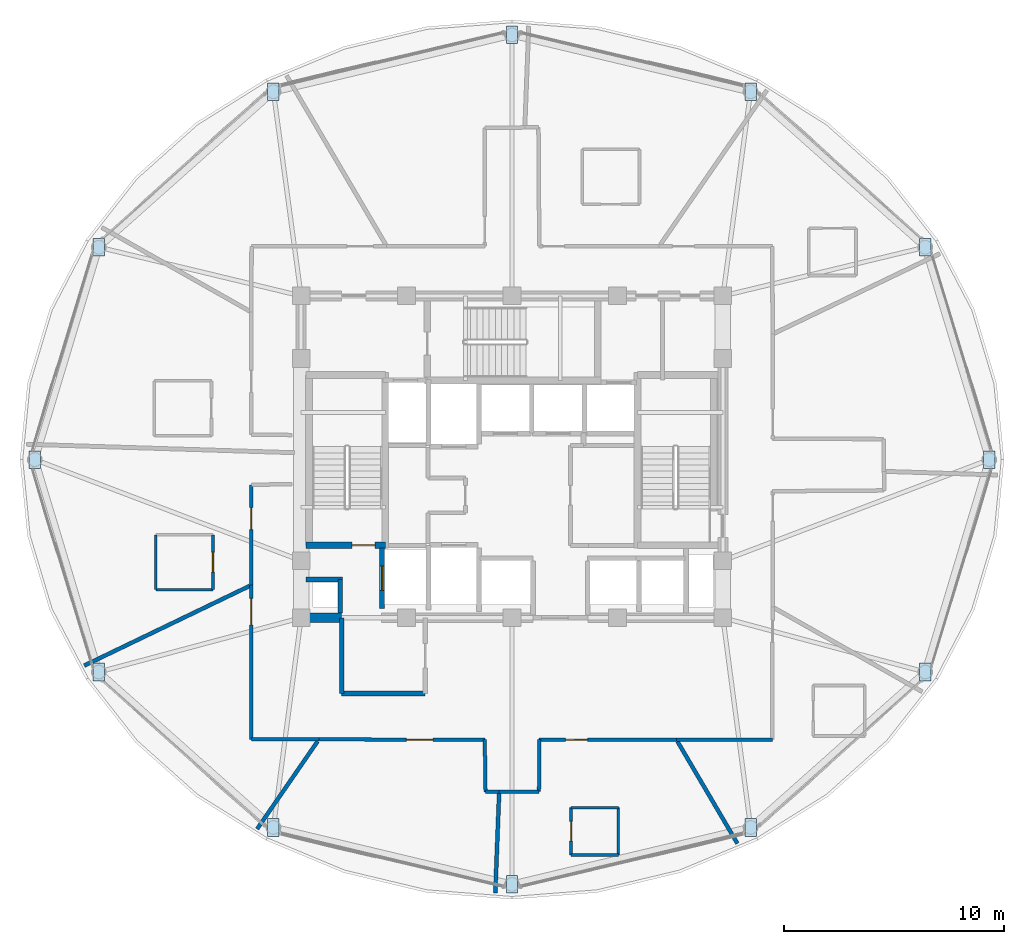
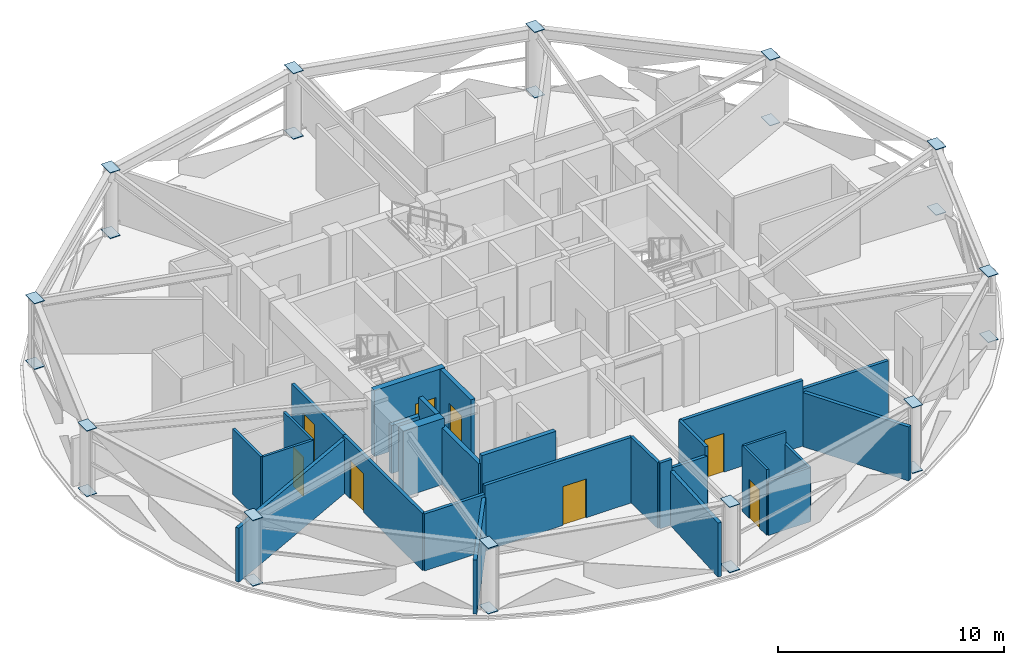
# One storey, part 21 of 28: 28 walls, 24 plates, 8 doors, 8 openings.
"""IFC4 building model written with IfcOpenShell, lengths in metres."""

from ifc_helpers import new_model, si_unit, direction, frame, frame_2d, origin, place, context, subcontext, project, spatial, polyline, rectangle, outline, extrude, material, layer, layer_set, type_object, element, fill, save


model = new_model("IFC4")

# Units and contexts
model_context = context("Model", 3, precision=1e-05, world=origin(), true_north=direction((0.0, 1.0)))
body_context = subcontext(model_context, "Body", "Model", "MODEL_VIEW")
ifc_project = project(units=[si_unit("LENGTHUNIT", "METRE"), si_unit("AREAUNIT", "SQUARE_METRE"), si_unit("VOLUMEUNIT", "CUBIC_METRE"), si_unit("PLANEANGLEUNIT", "RADIAN"), si_unit("MASSUNIT", "GRAM", prefix="KILO")], contexts=[model_context])

# Site, building, storey
site_placement = place(None, origin())
site = spatial("IfcSite", under=ifc_project, at=site_placement, CompositionType="ELEMENT")
building_placement = place(site_placement, origin())
building = spatial("IfcBuilding", under=site, at=building_placement, Name="Vantalir Tower", CompositionType="ELEMENT")
storey_placement = place(building_placement, frame((0.0, 0.0, 238.64990234375)))
storey = spatial("IfcBuildingStorey", under=building, at=storey_placement, Name="L60", CompositionType="ELEMENT", Elevation=238.64990234375)

# Plates
ifc_material_1 = material(Name="Steel S460", Category="steel")
ifc_layer_1 = layer(ifc_material_1, 0.031982421875)
ifc_layer_set_1 = layer_set([ifc_layer_1], Name="Steel S460")
plate_type = type_object("IfcPlateType", Name="PLT-KN-Z3", PredefinedType="USERDEFINED", material=ifc_layer_set_1)
for number, where, z_axis, x_axis, name in (
    (1, (52.9580078125, 25.39990234375, 3.593994140625), (0.0, 0.0, 1.0), (0.0, -1.0, 0.0), "L60 Ring Column Top Cap RC01"),
    (2, (52.9580078125, 25.39990234375, 0.052978515625), (0.0, 0.0, 1.0), (0.0, -1.0, 0.0), "L60 Ring Column Base Cap RC01"),
    (3, (50.048095703125, 35.06591796875, 3.593994140625), (0.0, 0.0, 1.0), (0.0, -1.0, 0.0), "L60 Ring Column Top Cap RC02"),
    (4, (50.048095703125, 35.06591796875, 0.052978515625), (0.0, 0.0, 1.0), (0.0, -1.0, 0.0), "L60 Ring Column Base Cap RC02"),
):
    element("IfcPlate", number, at=place(storey_placement, frame(where, z_axis=z_axis, x_axis=x_axis)), inside=storey, type_object=plate_type, Name=name, ObjectType="FLANGE_PLATE", PredefinedType="USERDEFINED", context=body_context, shape_type="SweptSolid", body=[
        extrude(outline(polyline([(0.0, 0.0), (0.7998046875, 0.0), (0.7998046875, 0.52001953125), (0.0, 0.52001953125), (0.0, 0.0)])), origin(), (0.0, 0.0, -1.0), 0.031982421875),
    ])
for number, where, z_axis, x_axis, name in (
    (5, (42.09912109375, 42.14306640625, 3.593994140625), (0.0, 0.0, 1.0), (0.0, -1.0, 0.0), "L60 Ring Column Top Cap RC03"),
    (6, (42.09912109375, 42.14306640625, 0.052978515625), (0.0, 0.0, 1.0), (0.0, -1.0, 0.0), "L60 Ring Column Base Cap RC03"),
):
    element("IfcPlate", number, at=place(storey_placement, frame(where, z_axis=z_axis, x_axis=x_axis)), inside=storey, type_object=plate_type, Name=name, ObjectType="FLANGE_PLATE", PredefinedType="USERDEFINED", context=body_context, shape_type="SweptSolid", body=[
        extrude(outline(polyline([(0.0, 0.0), (0.800048828125, 0.0), (0.800048828125, 0.519775390625), (0.0, 0.519775390625), (0.0, 0.0)])), origin(), (0.0, 0.0, -1.0), 0.031982421875),
    ])
for number, where, z_axis, x_axis, name in (
    (7, (31.239990234375, 44.73291015625, 3.593994140625), (0.0, 0.0, 1.0), (0.0, -1.0, 0.0), "L60 Ring Column Top Cap RC04"),
    (8, (31.239990234375, 44.73291015625, 0.052978515625), (0.0, 0.0, 1.0), (0.0, -1.0, 0.0), "L60 Ring Column Base Cap RC04"),
):
    element("IfcPlate", number, at=place(storey_placement, frame(where, z_axis=z_axis, x_axis=x_axis)), inside=storey, type_object=plate_type, Name=name, ObjectType="FLANGE_PLATE", PredefinedType="USERDEFINED", context=body_context, shape_type="SweptSolid", body=[
        extrude(outline(polyline([(0.0, 0.0), (0.7998046875, 0.0), (0.7998046875, 0.52001953125), (0.0, 0.52001953125), (0.0, 0.0)])), origin(), (0.0, 0.0, -1.0), 0.031982421875),
    ])
for number, where, z_axis, x_axis, name in (
    (9, (20.381103515625, 42.14306640625, 3.593994140625), (0.0, 0.0, 1.0), (0.0, -1.0, 0.0), "L60 Ring Column Top Cap RC05"),
    (10, (20.381103515625, 42.14306640625, 0.052978515625), (0.0, 0.0, 1.0), (0.0, -1.0, 0.0), "L60 Ring Column Base Cap RC05"),
):
    element("IfcPlate", number, at=place(storey_placement, frame(where, z_axis=z_axis, x_axis=x_axis)), inside=storey, type_object=plate_type, Name=name, ObjectType="FLANGE_PLATE", PredefinedType="USERDEFINED", context=body_context, shape_type="SweptSolid", body=[
        extrude(outline(polyline([(0.0, 0.0), (0.800048828125, 0.0), (0.800048828125, 0.519775390625), (0.0, 0.519775390625), (0.0, 0.0)])), origin(), (0.0, 0.0, -1.0), 0.031982421875),
    ])
for number, where, z_axis, x_axis, name in (
    (11, (12.431884765625, 35.06591796875, 3.593994140625), (0.0, 0.0, 1.0), (0.0, -1.0, 0.0), "L60 Ring Column Top Cap RC06"),
    (12, (12.431884765625, 35.06591796875, 0.052978515625), (0.0, 0.0, 1.0), (0.0, -1.0, 0.0), "L60 Ring Column Base Cap RC06"),
    (13, (9.52197265625, 25.39990234375, 3.593994140625), (0.0, 0.0, 1.0), (0.0, -1.0, 0.0), "L60 Ring Column Top Cap RC07"),
    (14, (9.52197265625, 25.39990234375, 0.052978515625), (0.0, 0.0, 1.0), (0.0, -1.0, 0.0), "L60 Ring Column Base Cap RC07"),
    (15, (12.431884765625, 15.73291015625, 3.593994140625), (0.0, 0.0, 1.0), (0.0, -1.0, 0.0), "L60 Ring Column Top Cap RC08"),
    (16, (12.431884765625, 15.73291015625, 0.052978515625), (0.0, 0.0, 1.0), (0.0, -1.0, 0.0), "L60 Ring Column Base Cap RC08"),
):
    element("IfcPlate", number, at=place(storey_placement, frame(where, z_axis=z_axis, x_axis=x_axis)), inside=storey, type_object=plate_type, Name=name, ObjectType="FLANGE_PLATE", PredefinedType="USERDEFINED", context=body_context, shape_type="SweptSolid", body=[
        extrude(outline(polyline([(0.0, 0.0), (0.7998046875, 0.0), (0.7998046875, 0.52001953125), (0.0, 0.52001953125), (0.0, 0.0)])), origin(), (0.0, 0.0, -1.0), 0.031982421875),
    ])
for number, where, z_axis, x_axis, name in (
    (17, (20.381103515625, 8.656982421875, 3.593994140625), (0.0, 0.0, 1.0), (0.0, -1.0, 0.0), "L60 Ring Column Top Cap RC09"),
    (18, (20.381103515625, 8.656982421875, 0.052978515625), (0.0, 0.0, 1.0), (0.0, -1.0, 0.0), "L60 Ring Column Base Cap RC09"),
):
    element("IfcPlate", number, at=place(storey_placement, frame(where, z_axis=z_axis, x_axis=x_axis)), inside=storey, type_object=plate_type, Name=name, ObjectType="FLANGE_PLATE", PredefinedType="USERDEFINED", context=body_context, shape_type="SweptSolid", body=[
        extrude(outline(polyline([(0.0, 0.0), (0.800048828125, 0.0), (0.800048828125, 0.519775390625), (0.0, 0.519775390625), (0.0, 0.0)])), origin(), (0.0, 0.0, -1.0), 0.031982421875),
    ])
for number, where, z_axis, x_axis, name in (
    (19, (31.239990234375, 6.06689453125, 3.593994140625), (0.0, 0.0, 1.0), (0.0, -1.0, 0.0), "L60 Ring Column Top Cap RC10"),
    (20, (31.239990234375, 6.06689453125, 0.052978515625), (0.0, 0.0, 1.0), (0.0, -1.0, 0.0), "L60 Ring Column Base Cap RC10"),
):
    element("IfcPlate", number, at=place(storey_placement, frame(where, z_axis=z_axis, x_axis=x_axis)), inside=storey, type_object=plate_type, Name=name, ObjectType="FLANGE_PLATE", PredefinedType="USERDEFINED", context=body_context, shape_type="SweptSolid", body=[
        extrude(outline(polyline([(0.0, 0.0), (0.7998046875, 0.0), (0.7998046875, 0.52001953125), (0.0, 0.52001953125), (0.0, 0.0)])), origin(), (0.0, 0.0, -1.0), 0.031982421875),
    ])
for number, where, z_axis, x_axis, name in (
    (21, (42.09912109375, 8.656982421875, 3.593994140625), (0.0, 0.0, 1.0), (0.0, -1.0, 0.0), "L60 Ring Column Top Cap RC11"),
    (22, (42.09912109375, 8.656982421875, 0.052978515625), (0.0, 0.0, 1.0), (0.0, -1.0, 0.0), "L60 Ring Column Base Cap RC11"),
):
    element("IfcPlate", number, at=place(storey_placement, frame(where, z_axis=z_axis, x_axis=x_axis)), inside=storey, type_object=plate_type, Name=name, ObjectType="FLANGE_PLATE", PredefinedType="USERDEFINED", context=body_context, shape_type="SweptSolid", body=[
        extrude(outline(polyline([(0.0, 0.0), (0.800048828125, 0.0), (0.800048828125, 0.519775390625), (0.0, 0.519775390625), (0.0, 0.0)])), origin(), (0.0, 0.0, -1.0), 0.031982421875),
    ])
for number, where, z_axis, x_axis, name in (
    (23, (50.048095703125, 15.73291015625, 3.593994140625), (0.0, 0.0, 1.0), (0.0, -1.0, 0.0), "L60 Ring Column Top Cap RC12"),
    (24, (50.048095703125, 15.73291015625, 0.052978515625), (0.0, 0.0, 1.0), (0.0, -1.0, 0.0), "L60 Ring Column Base Cap RC12"),
):
    element("IfcPlate", number, at=place(storey_placement, frame(where, z_axis=z_axis, x_axis=x_axis)), inside=storey, type_object=plate_type, Name=name, ObjectType="FLANGE_PLATE", PredefinedType="USERDEFINED", context=body_context, shape_type="SweptSolid", body=[
        extrude(outline(polyline([(0.0, 0.0), (0.7998046875, 0.0), (0.7998046875, 0.52001953125), (0.0, 0.52001953125), (0.0, 0.0)])), origin(), (0.0, 0.0, -1.0), 0.031982421875),
    ])

# Walls
ifc_material_2 = material(Name="Moisture-resistant en-suite partition", Category="gypsum")
ifc_layer_2 = layer(ifc_material_2, 0.125)
ifc_layer_set_2 = layer_set([ifc_layer_2], Name="Moisture-resistant en-suite partition")
wall_type_1 = type_object("IfcWallType", Name="WL-BATH-125", PredefinedType="PARTITIONING", material=ifc_layer_set_2)
wall_1_placement = place(storey_placement, frame((15.2900390625, 19.077880859375, 0.0), z_axis=(0.0, 0.0, 1.0), x_axis=(1.0, 0.0, 0.0)))
element("IfcWall", 25, at=wall_1_placement, inside=storey, type_object=wall_type_1, Name="L60 En-suite 06 South Wall", PredefinedType="PARTITIONING", context=body_context, shape_type="SweptSolid", body=[
    extrude(rectangle(XDim=2.599853515625, YDim=0.125, at=frame_2d((1.2998046875, 0.0))), origin(), (0.0, 0.0, 1.0), 3.550048828125),
])
wall_2_placement = place(storey_placement, frame((15.2900390625, 19.077880859375, 0.0), z_axis=(0.0, 0.0, 1.0), x_axis=(0.0, 1.0, 0.0)))
element("IfcWall", 26, at=wall_2_placement, inside=storey, type_object=wall_type_1, Name="L60 En-suite 06 West Wall", PredefinedType="PARTITIONING", context=body_context, shape_type="SweptSolid", body=[
    extrude(rectangle(XDim=2.5, YDim=0.125, at=frame_2d((1.25, 0.0))), origin(), (0.0, 0.0, 1.0), 3.550048828125),
])

# Wall, opening, door
wall_3_placement = place(storey_placement, frame((17.889892578125, 19.077880859375, 0.0), z_axis=(0.0, 0.0, 1.0), x_axis=(0.0, 1.0, 0.0)))
wall_3 = element("IfcWall", 27, at=wall_3_placement, inside=storey, type_object=wall_type_1, Name="L60 En-suite 06 East Wall", PredefinedType="PARTITIONING", context=body_context, shape_type="SweptSolid", body=[
    extrude(rectangle(XDim=2.5, YDim=0.125, at=frame_2d((1.25, 0.0))), origin(), (0.0, 0.0, 1.0), 3.550048828125),
])
opening_1_placement = place(wall_3_placement, frame((0.800048828125, 0.0, 0.0)))
opening_1 = element("IfcOpeningElement", 28, at=opening_1_placement, cuts=wall_3, Name="Opening D-WC", PredefinedType="OPENING", context=body_context, shape_type="SweptSolid", body=[
    extrude(rectangle(XDim=0.89990234375, YDim=2.10009765625, at=frame_2d((0.449951171875, 1.050048828125))), frame((0.0, 0.072509765625, 0.0), z_axis=(0.0, -1.0, 0.0), x_axis=(1.0, 0.0, 0.0)), (0.0, 0.0, 1.0), 0.14501953125),
])
ifc_material_3 = material(Name="Moisture-resistant hardwood door", Category="wood")
door_type_1 = type_object("IfcDoorType", Name="DR-ENSUITE-900", OperationType="NOTDEFINED", PredefinedType="DOOR", material=ifc_material_3)
door_1_placement = place(opening_1_placement, origin())
door_1 = element("IfcDoor", 29, at=door_1_placement, inside=storey, type_object=door_type_1, Name="L60 En-suite 06 Door", OperationType="SINGLE_SWING_LEFT", OverallHeight=2.10009765625, OverallWidth=0.89990234375, PredefinedType="DOOR", context=body_context, shape_type="SweptSolid", body=[
    extrude(rectangle(XDim=0.89990234375, YDim=2.10009765625, at=frame_2d((0.449951171875, 1.050048828125))), frame((0.0, 0.02490234375, 0.0), z_axis=(0.0, -1.0, 0.0), x_axis=(1.0, 0.0, 0.0)), (0.0, 0.0, 1.0), 0.050048828125),
])
fill(opening_1, door_1)

# Walls
wall_4_placement = place(storey_placement, frame((34.18896484375, 7.008056640625, 0.0), z_axis=(0.0, 0.0, 1.0), x_axis=(1.0, 0.0, 0.0)))
element("IfcWall", 30, at=wall_4_placement, inside=storey, type_object=wall_type_1, Name="L60 En-suite 09 South Wall", PredefinedType="PARTITIONING", context=body_context, shape_type="SweptSolid", body=[
    extrude(rectangle(XDim=2.150146484375, YDim=0.125, at=frame_2d((1.0751953125, 0.0))), origin(), (0.0, 0.0, 1.0), 2.925048828125),
])
wall_5_placement = place(storey_placement, frame((34.18896484375, 9.157958984375, 0.0), z_axis=(0.0, 0.0, 1.0), x_axis=(1.0, 0.0, 0.0)))
element("IfcWall", 31, at=wall_5_placement, inside=storey, type_object=wall_type_1, Name="L60 En-suite 09 North Wall", PredefinedType="PARTITIONING", context=body_context, shape_type="SweptSolid", body=[
    extrude(rectangle(XDim=2.150146484375, YDim=0.125, at=frame_2d((1.0751953125, 0.0))), origin(), (0.0, 0.0, 1.0), 3.550048828125),
])

# Wall, opening, door
wall_6_placement = place(storey_placement, frame((34.18896484375, 7.008056640625, 0.0), z_axis=(0.0, 0.0, 1.0), x_axis=(0.0, 1.0, 0.0)))
wall_6 = element("IfcWall", 32, at=wall_6_placement, inside=storey, type_object=wall_type_1, Name="L60 En-suite 09 West Wall", PredefinedType="PARTITIONING", context=body_context, shape_type="SweptSolid", body=[
    extrude(rectangle(XDim=2.14990234375, YDim=0.125, at=frame_2d((1.074951171875, 0.0))), origin(), (0.0, 0.0, 1.0), 3.550048828125),
])
opening_2_placement = place(wall_6_placement, frame((0.625, 0.0, 0.0)))
opening_2 = element("IfcOpeningElement", 33, at=opening_2_placement, cuts=wall_6, Name="Opening D-WC", PredefinedType="OPENING", context=body_context, shape_type="SweptSolid", body=[
    extrude(rectangle(XDim=0.89990234375, YDim=2.10009765625, at=frame_2d((0.449951171875, 1.050048828125))), frame((0.0, 0.072509765625, 0.0), z_axis=(0.0, -1.0, 0.0), x_axis=(1.0, 0.0, 0.0)), (0.0, 0.0, 1.0), 0.14501953125),
])
door_2_placement = place(opening_2_placement, frame((0.89990234375, 0.0, 0.0), z_axis=(0.0, 0.0, 1.0), x_axis=(-1.0, 0.0, 0.0)))
door_2 = element("IfcDoor", 34, at=door_2_placement, inside=storey, type_object=door_type_1, Name="L60 En-suite 09 Door", OperationType="SINGLE_SWING_RIGHT", OverallHeight=2.10009765625, OverallWidth=0.89990234375, PredefinedType="DOOR", context=body_context, shape_type="SweptSolid", body=[
    extrude(rectangle(XDim=0.89990234375, YDim=2.10009765625, at=frame_2d((0.449951171875, 1.050048828125))), frame((0.0, 0.02490234375, 0.0), z_axis=(0.0, -1.0, 0.0), x_axis=(1.0, 0.0, 0.0)), (0.0, 0.0, 1.0), 0.050048828125),
])
fill(opening_2, door_2)

# Walls
wall_7_placement = place(storey_placement, frame((36.339111328125, 7.008056640625, 0.0), z_axis=(0.0, 0.0, 1.0), x_axis=(0.0, 1.0, 0.0)))
element("IfcWall", 35, at=wall_7_placement, inside=storey, type_object=wall_type_1, Name="L60 En-suite 09 East Wall", PredefinedType="PARTITIONING", context=body_context, shape_type="SweptSolid", body=[
    extrude(rectangle(XDim=2.14990234375, YDim=0.125, at=frame_2d((1.074951171875, 0.0))), origin(), (0.0, 0.0, 1.0), 2.925048828125),
])
ifc_material_4 = material(Name="Concrete C50/60", Category="concrete")
ifc_layer_3 = layer(ifc_material_4, 0.449951171875)
ifc_layer_set_3 = layer_set([ifc_layer_3], Name="Concrete C50/60")
wall_type_2 = type_object("IfcWallType", Name="WL-CORE-450", PredefinedType="SHEAR", material=ifc_layer_set_3)
wall_8_placement = place(storey_placement, frame((21.675048828125, 17.800048828125, 0.0), z_axis=(0.0, 0.0, 1.0), x_axis=(1.0, 0.0, 0.0)))
element("IfcWall", 36, at=wall_8_placement, inside=storey, type_object=wall_type_2, Name="L60 Core Shear Wall South-West", PredefinedType="SHEAR", context=body_context, shape_type="SweptSolid", body=[
    extrude(rectangle(XDim=2.074951171875, YDim=0.449951171875, at=frame_2d((1.03759765625, 0.0))), origin(), (0.0, 0.0, 1.0), 3.570068359375),
])
ifc_material_5 = material(Name="Fire-rated hotel corridor acoustic partition", Category="gypsum")
ifc_layer_4 = layer(ifc_material_5, 0.159912109375)
ifc_layer_set_4 = layer_set([ifc_layer_4], Name="Fire-rated hotel corridor acoustic partition")
wall_type_3 = type_object("IfcWallType", Name="WL-CORR-160", PredefinedType="PARTITIONING", material=ifc_layer_set_4)
wall_9_placement = place(storey_placement, frame((43.35009765625, 12.259033203125, 0.0), z_axis=(0.0, 0.0, 1.0), x_axis=(-0.99999954841, -0.000950357353, 0.0)))
element("IfcWall", 37, at=wall_9_placement, inside=storey, type_object=wall_type_3, Name="L60 Corridor Partition 20", PredefinedType="PARTITIONING", context=body_context, shape_type="SweptSolid", body=[
    extrude(rectangle(XDim=4.3671875, YDim=0.159912109375, at=frame_2d((2.18359375, 0.0))), origin(), (0.0, 0.0, 1.0), 3.0810546875),
])

# Wall, opening, door
wall_10_placement = place(storey_placement, frame((38.98291015625, 12.2548828125, 0.0), z_axis=(0.0, 0.0, 1.0), x_axis=(-0.999999694132, -0.000782135774, 0.0)))
wall_10 = element("IfcWall", 38, at=wall_10_placement, inside=storey, type_object=wall_type_3, Name="L60 Corridor Partition 21", PredefinedType="PARTITIONING", context=body_context, shape_type="SweptSolid", body=[
    extrude(rectangle(XDim=6.242919921875, YDim=0.159912109375, at=frame_2d((3.12158203125, 0.0))), origin(), (0.0, 0.0, 1.0), 3.550048828125),
])
opening_3_placement = place(wall_10_placement, frame((4.0390625, 0.0, 0.0)))
opening_3 = element("IfcOpeningElement", 39, at=opening_3_placement, cuts=wall_10, Name="Opening D-GUEST", PredefinedType="OPENING", context=body_context, shape_type="SweptSolid", body=[
    extrude(rectangle(XDim=1.0, YDim=2.10009765625, at=frame_2d((0.5, 1.050048828125))), frame((0.0, 0.08984375, 0.0), z_axis=(0.0, -1.0, 0.0), x_axis=(1.0, 0.0, 0.0)), (0.0, 0.0, 1.0), 0.179931640625),
])
ifc_material_6 = material(Name="Solid-core teak veneer acoustic fire door", Category="wood")
door_type_2 = type_object("IfcDoorType", Name="DR-GUEST-ENTRY-1000", OperationType="NOTDEFINED", PredefinedType="DOOR", material=ifc_material_6)
door_3_placement = place(opening_3_placement, origin())
door_3 = element("IfcDoor", 40, at=door_3_placement, inside=storey, type_object=door_type_2, Name="L60 Twin Queen Hotel Room 09 Door", OperationType="SINGLE_SWING_LEFT", OverallHeight=2.10009765625, OverallWidth=1.0, PredefinedType="DOOR", context=body_context, shape_type="SweptSolid", body=[
    extrude(rectangle(XDim=1.0, YDim=2.10009765625, at=frame_2d((0.5, 1.050048828125))), frame((0.0, 0.02490234375, 0.0), z_axis=(0.0, -1.0, 0.0), x_axis=(1.0, 0.0, 0.0)), (0.0, 0.0, 1.0), 0.050048828125),
])
fill(opening_3, door_3)

# Walls
wall_11_placement = place(storey_placement, frame((32.739990234375, 12.25, 0.0), z_axis=(0.0, 0.0, 1.0), x_axis=(-0.005066629207, -0.999987164552, 0.0)))
element("IfcWall", 41, at=wall_11_placement, inside=storey, type_object=wall_type_3, Name="L60 Corridor Partition 22", PredefinedType="PARTITIONING", context=body_context, shape_type="SweptSolid", body=[
    extrude(rectangle(XDim=2.361083984375, YDim=0.159912109375, at=frame_2d((1.1806640625, 0.0))), origin(), (0.0, 0.0, 1.0), 3.550048828125),
])
wall_12_placement = place(storey_placement, frame((32.72802734375, 9.888916015625, 0.0), z_axis=(0.0, 0.0, 1.0), x_axis=(-0.999987560822, -0.004987805305, 0.0)))
element("IfcWall", 42, at=wall_12_placement, inside=storey, type_object=wall_type_3, Name="L60 Corridor Partition 23", PredefinedType="PARTITIONING", context=body_context, shape_type="SweptSolid", body=[
    extrude(rectangle(XDim=1.81103515625, YDim=0.159912109375, at=frame_2d((0.905517578125, 0.0))), origin(), (0.0, 0.0, 1.0), 3.0810546875),
])
wall_13_placement = place(storey_placement, frame((30.9169921875, 9.8798828125, 0.0), z_axis=(0.0, 0.0, 1.0), x_axis=(-0.99998887523, -0.004716928657, 0.0)))
element("IfcWall", 43, at=wall_13_placement, inside=storey, type_object=wall_type_3, Name="L60 Corridor Partition 24", PredefinedType="PARTITIONING", context=body_context, shape_type="SweptSolid", body=[
    extrude(rectangle(XDim=0.62109375, YDim=0.159912109375, at=frame_2d((0.310546875, 0.0))), origin(), (0.0, 0.0, 1.0), 3.550048828125),
])
wall_14_placement = place(storey_placement, frame((30.2958984375, 9.876953125, 0.0), z_axis=(0.0, 0.0, 1.0), x_axis=(-0.015121727576, 0.999885660141, 0.0)))
element("IfcWall", 44, at=wall_14_placement, inside=storey, type_object=wall_type_3, Name="L60 Corridor Partition 25", PredefinedType="PARTITIONING", context=body_context, shape_type="SweptSolid", body=[
    extrude(rectangle(XDim=2.373291015625, YDim=0.159912109375, at=frame_2d((1.1865234375, 0.0))), origin(), (0.0, 0.0, 1.0), 3.550048828125),
])

# Wall, opening, door
wall_15_placement = place(storey_placement, frame((30.260009765625, 12.25, 0.0), z_axis=(0.0, 0.0, 1.0), x_axis=(-0.999998053089, 0.001973276008, 0.0)))
wall_15 = element("IfcWall", 45, at=wall_15_placement, inside=storey, type_object=wall_type_3, Name="L60 Corridor Partition 26", PredefinedType="PARTITIONING", context=body_context, shape_type="SweptSolid", body=[
    extrude(rectangle(XDim=7.547119140625, YDim=0.159912109375, at=frame_2d((3.7734375, 0.0))), origin(), (0.0, 0.0, 1.0), 3.550048828125),
])
opening_4_placement = place(wall_15_placement, frame((2.364990234375, 0.0, 0.0)))
opening_4 = element("IfcOpeningElement", 46, at=opening_4_placement, cuts=wall_15, Name="Opening D-STE", PredefinedType="OPENING", context=body_context, shape_type="SweptSolid", body=[
    extrude(rectangle(XDim=1.199951171875, YDim=2.10009765625, at=frame_2d((0.60009765625, 1.050048828125))), frame((0.0, 0.08984375, 0.0), z_axis=(0.0, -1.0, 0.0), x_axis=(1.0, 0.0, 0.0)), (0.0, 0.0, 1.0), 0.179931640625),
])
ifc_material_7 = material(Name="Solid-core teak veneer suite entrance door", Category="wood")
door_type_3 = type_object("IfcDoorType", Name="DR-SUITE-ENTRY-1200", OperationType="NOTDEFINED", PredefinedType="DOOR", material=ifc_material_7)
door_4_placement = place(opening_4_placement, origin())
door_4 = element("IfcDoor", 47, at=door_4_placement, inside=storey, type_object=door_type_3, Name="L60 Executive Sky Boardroom 08 Door", OperationType="SINGLE_SWING_RIGHT", OverallHeight=2.10009765625, OverallWidth=1.199951171875, PredefinedType="DOOR", context=body_context, shape_type="SweptSolid", body=[
    extrude(rectangle(XDim=1.199951171875, YDim=2.10009765625, at=frame_2d((0.60009765625, 1.050048828125))), frame((0.0, 0.02490234375, 0.0), z_axis=(0.0, -1.0, 0.0), x_axis=(1.0, 0.0, 0.0)), (0.0, 0.0, 1.0), 0.050048828125),
])
fill(opening_4, door_4)

# Wall
wall_16_placement = place(storey_placement, frame((22.712890625, 12.264892578125, 0.0), z_axis=(0.0, 0.0, 1.0), x_axis=(-0.999998027558, 0.001986172296, 0.0)))
element("IfcWall", 48, at=wall_16_placement, inside=storey, type_object=wall_type_3, Name="L60 Corridor Partition 27", PredefinedType="PARTITIONING", context=body_context, shape_type="SweptSolid", body=[
    extrude(rectangle(XDim=3.072998046875, YDim=0.159912109375, at=frame_2d((1.53662109375, 0.0))), origin(), (0.0, 0.0, 1.0), 3.0810546875),
])

# Wall, opening, door
wall_17_placement = place(storey_placement, frame((19.639892578125, 12.27099609375, 0.0), z_axis=(0.0, 0.0, 1.0), x_axis=(-0.000417507444, 0.999999912844, 0.0)))
wall_17 = element("IfcWall", 49, at=wall_17_placement, inside=storey, type_object=wall_type_3, Name="L60 Corridor Partition 28", PredefinedType="PARTITIONING", context=body_context, shape_type="SweptSolid", body=[
    extrude(rectangle(XDim=7.01708984375, YDim=0.159912109375, at=frame_2d((3.508544921875, 0.0))), origin(), (0.0, 0.0, 1.0), 3.0810546875),
])
opening_5_placement = place(wall_17_placement, frame((5.2109375, 0.0, 0.0)))
opening_5 = element("IfcOpeningElement", 50, at=opening_5_placement, cuts=wall_17, Name="Opening D-STE", PredefinedType="OPENING", context=body_context, shape_type="SweptSolid", body=[
    extrude(rectangle(XDim=1.199951171875, YDim=2.10009765625, at=frame_2d((0.60009765625, 1.050048828125))), frame((0.0, 0.08984375, 0.0), z_axis=(0.0, -1.0, 0.0), x_axis=(1.0, 0.0, 0.0)), (0.0, 0.0, 1.0), 0.179931640625),
])
door_5_placement = place(opening_5_placement, origin())
door_5 = element("IfcDoor", 51, at=door_5_placement, inside=storey, type_object=door_type_3, Name="L60 Club Reading Lounge 07 Door", OperationType="SINGLE_SWING_LEFT", OverallHeight=2.10009765625, OverallWidth=1.199951171875, PredefinedType="DOOR", context=body_context, shape_type="SweptSolid", body=[
    extrude(rectangle(XDim=1.199951171875, YDim=2.10009765625, at=frame_2d((0.60009765625, 1.050048828125))), frame((0.0, 0.02490234375, 0.0), z_axis=(0.0, -1.0, 0.0), x_axis=(1.0, 0.0, 0.0)), (0.0, 0.0, 1.0), 0.050048828125),
])
fill(opening_5, door_5)

wall_18_placement = place(storey_placement, frame((19.636962890625, 19.2880859375, 0.0), z_axis=(0.0, 0.0, 1.0), x_axis=(-0.000427761698, 0.99999990851, 0.0)))
wall_18 = element("IfcWall", 52, at=wall_18_placement, inside=storey, type_object=wall_type_3, Name="L60 Corridor Partition 29", PredefinedType="PARTITIONING", context=body_context, shape_type="SweptSolid", body=[
    extrude(rectangle(XDim=4.56591796875, YDim=0.159912109375, at=frame_2d((2.282958984375, 0.0))), origin(), (0.0, 0.0, 1.0), 3.0810546875),
])
opening_6_placement = place(wall_18_placement, frame((2.52099609375, 0.0, 0.0)))
opening_6 = element("IfcOpeningElement", 53, at=opening_6_placement, cuts=wall_18, Name="Opening D-GUEST", PredefinedType="OPENING", context=body_context, shape_type="SweptSolid", body=[
    extrude(rectangle(XDim=1.0, YDim=2.10009765625, at=frame_2d((0.5, 1.050048828125))), frame((0.0, 0.08984375, 0.0), z_axis=(0.0, -1.0, 0.0), x_axis=(1.0, 0.0, 0.0)), (0.0, 0.0, 1.0), 0.179931640625),
])
door_6_placement = place(opening_6_placement, origin())
door_6 = element("IfcDoor", 54, at=door_6_placement, inside=storey, type_object=door_type_2, Name="L60 Deluxe King Hotel Room 06 Door", OperationType="SINGLE_SWING_RIGHT", OverallHeight=2.10009765625, OverallWidth=1.0, PredefinedType="DOOR", context=body_context, shape_type="SweptSolid", body=[
    extrude(rectangle(XDim=1.0, YDim=2.10009765625, at=frame_2d((0.5, 1.050048828125))), frame((0.0, 0.02490234375, 0.0), z_axis=(0.0, -1.0, 0.0), x_axis=(1.0, 0.0, 0.0)), (0.0, 0.0, 1.0), 0.050048828125),
])
fill(opening_6, door_6)

# Walls
ifc_material_8 = material(Name="Concrete blockwork with fireboard lining", Category="masonry")
ifc_layer_5 = layer(ifc_material_8, 0.219970703125)
ifc_layer_set_5 = layer_set([ifc_layer_5], Name="Concrete blockwork with fireboard lining")
wall_type_4 = type_object("IfcWallType", Name="WL-FFL-220", PredefinedType="PARTITIONING", material=ifc_layer_set_5)
wall_19_placement = place(storey_placement, frame((23.679931640625, 18.02490234375, 0.0), z_axis=(0.0, 0.0, 1.0), x_axis=(0.0, 1.0, 0.0)))
element("IfcWall", 55, at=wall_19_placement, inside=storey, type_object=wall_type_4, Name="L60 West MEP Riser Wall E", PredefinedType="PARTITIONING", context=body_context, shape_type="SweptSolid", body=[
    extrude(rectangle(XDim=1.525146484375, YDim=0.219970703125, at=frame_2d((0.7626953125, 0.0))), origin(), (0.0, 0.0, 1.0), 3.550048828125),
])
wall_20_placement = place(storey_placement, frame((22.125, 19.550048828125, 0.0), z_axis=(0.0, 0.0, 1.0), x_axis=(1.0, 0.0, 0.0)))
element("IfcWall", 56, at=wall_20_placement, inside=storey, type_object=wall_type_4, Name="L60 West MEP Riser Wall N", PredefinedType="PARTITIONING", context=body_context, shape_type="SweptSolid", body=[
    extrude(rectangle(XDim=1.6650390625, YDim=0.219970703125, at=frame_2d((0.83251953125, 0.0))), origin(), (0.0, 0.0, 1.0), 2.59521484375),
])

# Wall, opening, door
wall_21_placement = place(storey_placement, frame((25.590087890625, 18.219970703125, 0.0), z_axis=(0.0, 0.0, 1.0), x_axis=(0.0, 1.0, 0.0)))
wall_21 = element("IfcWall", 57, at=wall_21_placement, inside=storey, type_object=wall_type_4, Name="L60 Lift FL1 Shaft Front Wall", PredefinedType="PARTITIONING", context=body_context, shape_type="SweptSolid", body=[
    extrude(rectangle(XDim=2.760009765625, YDim=0.219970703125, at=frame_2d((1.3798828125, 0.0))), origin(), (0.0, 0.0, 1.0), 3.550048828125),
])
opening_7_placement = place(wall_21_placement, frame((0.830078125, 0.0, 0.0)))
opening_7 = element("IfcOpeningElement", 58, at=opening_7_placement, cuts=wall_21, Name="Opening LD-FL1", PredefinedType="OPENING", context=body_context, shape_type="SweptSolid", body=[
    extrude(rectangle(XDim=1.10009765625, YDim=2.199951171875, at=frame_2d((0.550048828125, 1.10009765625))), frame((0.0, 0.119873046875, 0.0), z_axis=(0.0, -1.0, 0.0), x_axis=(1.0, 0.0, 0.0)), (0.0, 0.0, 1.0), 0.239990234375),
])
ifc_material_9 = material(Name="Brushed stainless-steel sliding lift landing door", Category="steel")
door_type_4 = type_object("IfcDoorType", Name="DR-LIFT-LANDING-1100", OperationType="DOUBLE_DOOR_SLIDING", PredefinedType="DOOR", material=ifc_material_9)
door_7_placement = place(opening_7_placement, origin())
door_7 = element("IfcDoor", 59, at=door_7_placement, inside=storey, type_object=door_type_4, Name="L60 Lift Landing Door FL1", OperationType="DOUBLE_DOOR_SLIDING", OverallHeight=2.199951171875, OverallWidth=1.10009765625, PredefinedType="DOOR", context=body_context, shape_type="SweptSolid", body=[
    extrude(rectangle(XDim=1.10009765625, YDim=2.199951171875, at=frame_2d((0.550048828125, 1.10009765625))), frame((0.0, 0.02490234375, 0.0), z_axis=(0.0, -1.0, 0.0), x_axis=(1.0, 0.0, 0.0)), (0.0, 0.0, 1.0), 0.050048828125),
])
fill(opening_7, door_7)

# Walls
wall_22_placement = place(storey_placement, frame((23.75, 14.35009765625, 0.0), z_axis=(0.0, 0.0, 1.0), x_axis=(0.0, 1.0, 0.0)))
element("IfcWall", 60, at=wall_22_placement, inside=storey, type_object=wall_type_4, Name="L60 Firefighting Lobby West Outer W", PredefinedType="PARTITIONING", context=body_context, shape_type="SweptSolid", body=[
    extrude(rectangle(XDim=3.449951171875, YDim=0.219970703125, at=frame_2d((1.72509765625, 0.0))), origin(), (0.0, 0.0, 1.0), 3.0810546875),
])
wall_23_placement = place(storey_placement, frame((23.75, 14.35009765625, 0.0), z_axis=(0.0, 0.0, 1.0), x_axis=(1.0, 0.0, 0.0)))
element("IfcWall", 61, at=wall_23_placement, inside=storey, type_object=wall_type_4, Name="L60 Firefighting Lobby West South Wall", PredefinedType="PARTITIONING", context=body_context, shape_type="SweptSolid", body=[
    extrude(rectangle(XDim=3.800048828125, YDim=0.219970703125, at=frame_2d((1.89990234375, 0.0))), origin(), (0.0, 0.0, 1.0), 3.550048828125),
])
ifc_material_10 = material(Name="Twin-stud acoustic fire-rated gypsum partition", Category="gypsum")
ifc_layer_6 = layer(ifc_material_10, 0.179931640625)
ifc_layer_set_6 = layer_set([ifc_layer_6], Name="Twin-stud acoustic fire-rated gypsum partition")
wall_type_5 = type_object("IfcWallType", Name="WL-GUEST-180", PredefinedType="PARTITIONING", material=ifc_layer_set_6)
wall_24_placement = place(storey_placement, frame((19.56005859375, 19.25, 0.0), z_axis=(0.0, 0.0, 1.0), x_axis=(-0.900984326042, -0.433851638497, 0.0)))
element("IfcWall", 62, at=wall_24_placement, inside=storey, type_object=wall_type_5, Name="L60 Radial Suite Partition 07", PredefinedType="PARTITIONING", context=body_context, shape_type="SweptSolid", body=[
    extrude(rectangle(XDim=8.35546875, YDim=0.179931640625, at=frame_2d((4.177734375, 0.0))), origin(), (0.0, 0.0, 1.0), 2.925048828125),
])
wall_25_placement = place(storey_placement, frame((22.65087890625, 12.175048828125, 0.0), z_axis=(0.0, 0.0, 1.0), x_axis=(-0.567963879419, -0.823053480447, 0.0)))
element("IfcWall", 63, at=wall_25_placement, inside=storey, type_object=wall_type_5, Name="L60 Radial Suite Partition 08", PredefinedType="PARTITIONING", context=body_context, shape_type="SweptSolid", body=[
    extrude(rectangle(XDim=4.841796875, YDim=0.179931640625, at=frame_2d((2.4208984375, 0.0))), origin(), (0.0, 0.0, 1.0), 2.925048828125),
])
wall_26_placement = place(storey_placement, frame((30.9140625, 9.802001953125, 0.0), z_axis=(0.0, 0.0, 1.0), x_axis=(-0.038656743146, -0.999252548763, 0.0)))
element("IfcWall", 64, at=wall_26_placement, inside=storey, type_object=wall_type_5, Name="L60 Radial Suite Partition 09", PredefinedType="PARTITIONING", context=body_context, shape_type="SweptSolid", body=[
    extrude(rectangle(XDim=4.5283203125, YDim=0.179931640625, at=frame_2d((2.26416015625, 0.0))), origin(), (0.0, 0.0, 1.0), 2.925048828125),
])
wall_27_placement = place(storey_placement, frame((39.030029296875, 12.175048828125, 0.0), z_axis=(0.0, 0.0, 1.0), x_axis=(0.506355048259, -0.86232509247, 0.0)))
element("IfcWall", 65, at=wall_27_placement, inside=storey, type_object=wall_type_5, Name="L60 Radial Suite Partition 10", PredefinedType="PARTITIONING", context=body_context, shape_type="SweptSolid", body=[
    extrude(rectangle(XDim=5.391357421875, YDim=0.179931640625, at=frame_2d((2.69580078125, 0.0))), origin(), (0.0, 0.0, 1.0), 2.925048828125),
])

# Wall, opening, door
ifc_layer_7 = layer(ifc_material_4, 0.300048828125)
ifc_layer_set_7 = layer_set([ifc_layer_7], Name="Concrete C50/60")
wall_type_6 = type_object("IfcWallType", Name="WL-STAIR-300", PredefinedType="SHEAR", material=ifc_layer_set_7)
wall_28_placement = place(storey_placement, frame((22.125, 21.10009765625, 0.0), z_axis=(0.0, 0.0, 1.0), x_axis=(1.0, 0.0, 0.0)))
wall_28 = element("IfcWall", 66, at=wall_28_placement, inside=storey, type_object=wall_type_6, Name="L60 Stair ST1 South Wall", PredefinedType="SHEAR", context=body_context, shape_type="SweptSolid", body=[
    extrude(rectangle(XDim=3.614990234375, YDim=0.300048828125, at=frame_2d((1.8076171875, 0.0))), origin(), (0.0, 0.0, 1.0), 3.570068359375),
])
opening_8_placement = place(wall_28_placement, frame((2.094970703125, 0.0, 0.0)))
opening_8 = element("IfcOpeningElement", 67, at=opening_8_placement, cuts=wall_28, Name="Opening D-ST", PredefinedType="OPENING", context=body_context, shape_type="SweptSolid", body=[
    extrude(rectangle(XDim=1.050048828125, YDim=2.10009765625, at=frame_2d((0.52490234375, 1.050048828125))), frame((0.0, 0.159912109375, 0.0), z_axis=(0.0, -1.0, 0.0), x_axis=(1.0, 0.0, 0.0)), (0.0, 0.0, 1.0), 0.320068359375),
])
ifc_material_11 = material(Name="Fire-rated steel door leaf", Category="steel")
door_type_5 = type_object("IfcDoorType", Name="DR-FIRE-STAIR-1050", OperationType="NOTDEFINED", PredefinedType="DOOR", material=ifc_material_11)
door_8_placement = place(opening_8_placement, origin())
door_8 = element("IfcDoor", 68, at=door_8_placement, inside=storey, type_object=door_type_5, Name="L60 Exit Stair ST1 Fire Door", OperationType="SINGLE_SWING_LEFT", OverallHeight=2.10009765625, OverallWidth=1.050048828125, PredefinedType="DOOR", context=body_context, shape_type="SweptSolid", body=[
    extrude(rectangle(XDim=1.050048828125, YDim=2.10009765625, at=frame_2d((0.52490234375, 1.050048828125))), frame((0.0, 0.02490234375, 0.0), z_axis=(0.0, -1.0, 0.0), x_axis=(1.0, 0.0, 0.0)), (0.0, 0.0, 1.0), 0.050048828125),
])
fill(opening_8, door_8)

save(model, "model.ifc")
